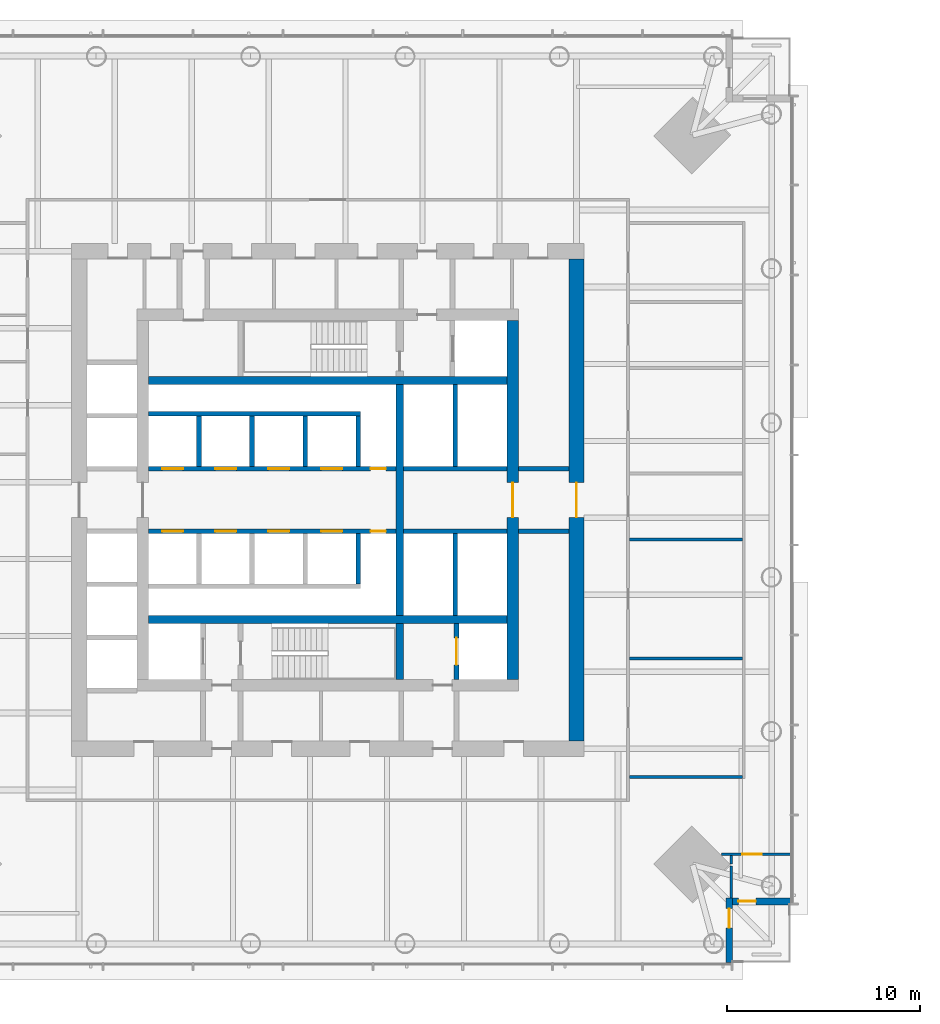
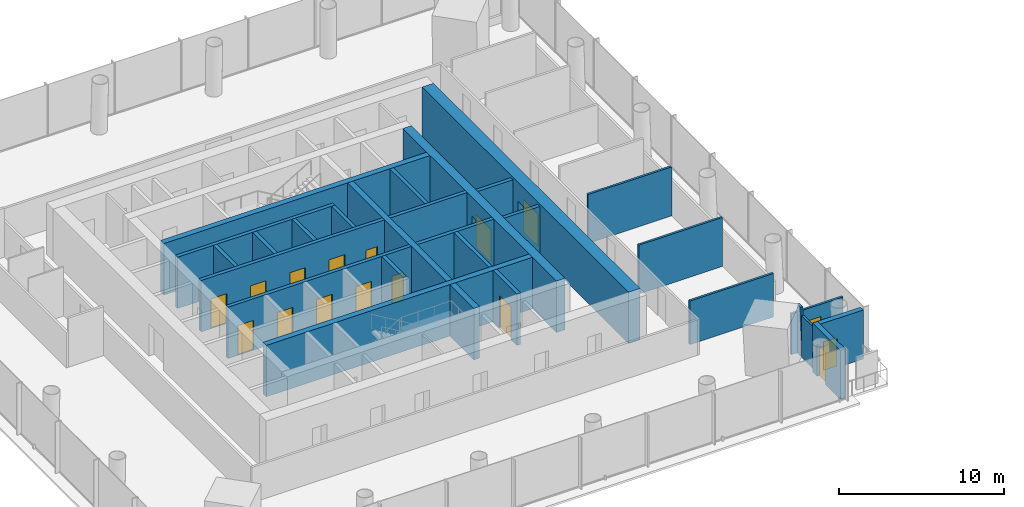
# One storey, part 10 of 26: 29 walls, 16 doors, 16 openings.
"""IFC4 building model written with IfcOpenShell, lengths in metres."""

from ifc_helpers import new_model, si_unit, direction, frame, frame_2d, origin, place, context, subcontext, project, spatial, rectangle, extrude, material, layer, layer_set, type_object, element, fill, save


model = new_model("IFC4")

# Units and contexts
model_context = context("Model", 3, precision=1e-05, world=origin(), true_north=direction((0.0, 1.0)))
body_context = subcontext(model_context, "Body", "Model", "MODEL_VIEW")
ifc_project = project(units=[si_unit("LENGTHUNIT", "METRE"), si_unit("AREAUNIT", "SQUARE_METRE"), si_unit("VOLUMEUNIT", "CUBIC_METRE"), si_unit("PLANEANGLEUNIT", "RADIAN"), si_unit("MASSUNIT", "GRAM", prefix="KILO")], contexts=[model_context])

# Site, building, storey
site_placement = place(None, origin())
site = spatial("IfcSite", under=ifc_project, at=site_placement, CompositionType="ELEMENT")
building_placement = place(site_placement, origin())
building = spatial("IfcBuilding", under=site, at=building_placement, Name="Ostroluk Exchange", CompositionType="ELEMENT")
storey_placement = place(building_placement, frame((0.0, 0.0, 51.39990234375)))
storey = spatial("IfcBuildingStorey", under=building, at=storey_placement, Name="L12", CompositionType="ELEMENT", Elevation=51.39990234375)

# Walls
ifc_material_1 = material(Name="Concrete blockwork", Category="masonry")
ifc_layer_1 = layer(ifc_material_1, 0.25)
ifc_layer_set_1 = layer_set([ifc_layer_1], Name="Blockwork stair enclosure wall 250")
wall_type_1 = type_object("IfcWallType", Name="Blockwork stair enclosure wall 250", PredefinedType="SOLIDWALL", material=ifc_layer_set_1)
for number, where, z_axis, x_axis, name in (
    (1, (54.89990234375, 44.375, 0.0), (0.0, 0.0, 1.0), (1.0, 0.0, 0.0), "Lift lobby enclosure wall"),
    (2, (54.89990234375, 47.625, 0.0), (0.0, 0.0, 1.0), (1.0, 0.0, 0.0), "Lift lobby enclosure wall"),
):
    element("IfcWall", number, at=place(storey_placement, frame(where, z_axis=z_axis, x_axis=x_axis)), inside=storey, type_object=wall_type_1, Name=name, PredefinedType="SOLIDWALL", context=body_context, shape_type="SweptSolid", body=[
        extrude(rectangle(XDim=2.60009765625, YDim=0.25, at=frame_2d((1.300048828125, 0.0))), origin(), (0.0, 0.0, 1.0), 3.6201171875),
    ])
ifc_material_2 = material(Name="Concrete C50/60", Category="concrete")
ifc_layer_2 = layer(ifc_material_2, 0.39990234375)
ifc_layer_set_2 = layer_set([ifc_layer_2], Name="Core cross wall 400 C50/60")
wall_type_2 = type_object("IfcWallType", Name="Core cross wall 400 C50/60", PredefinedType="SHEAR", material=ifc_layer_set_2)
for number, where, z_axis, x_axis, name in (
    (3, (35.699951171875, 39.800048828125, 0.0), (0.0, 0.0, 1.0), (1.0, 0.0, 0.0), "T1 core wall XS"),
    (4, (35.699951171875, 52.199951171875, 0.0), (0.0, 0.0, 1.0), (1.0, 0.0, 0.0), "T1 core wall XN"),
):
    element("IfcWall", number, at=place(storey_placement, frame(where, z_axis=z_axis, x_axis=x_axis)), inside=storey, type_object=wall_type_2, Name=name, PredefinedType="SHEAR", context=body_context, shape_type="SweptSolid", body=[
        extrude(rectangle(XDim=18.60009765625, YDim=0.39990234375, at=frame_2d((9.300048828125, 0.0))), origin(), (0.0, 0.0, 1.0), 3.800048828125),
    ])
wall_1_placement = place(storey_placement, frame((48.72998046875, 36.699951171875, 0.0), z_axis=(0.0, 0.0, 1.0), x_axis=(0.0, 1.0, 0.0)))
element("IfcWall", 5, at=wall_1_placement, inside=storey, type_object=wall_type_2, Name="T1 core wall YE1", PredefinedType="SHEAR", context=body_context, shape_type="SweptSolid", body=[
    extrude(rectangle(XDim=2.900146484375, YDim=0.39990234375, at=frame_2d((1.4501953125, 0.0))), origin(), (0.0, 0.0, 1.0), 3.800048828125),
])
wall_2_placement = place(storey_placement, frame((48.72998046875, 40.0, 0.0), z_axis=(0.0, 0.0, 1.0), x_axis=(0.0, 1.0, 0.0)))
element("IfcWall", 6, at=wall_2_placement, inside=storey, type_object=wall_type_2, Name="T1 core wall YE2", PredefinedType="SHEAR", context=body_context, shape_type="SweptSolid", body=[
    extrude(rectangle(XDim=12.0, YDim=0.39990234375, at=frame_2d((6.0, 0.0))), origin(), (0.0, 0.0, 1.0), 3.800048828125),
])

# Wall, opening, door
ifc_material_3 = material(Name="Concrete C40/50", Category="concrete")
ifc_layer_3 = layer(ifc_material_3, 0.25)
ifc_layer_set_3 = layer_set([ifc_layer_3], Name="Core shaft wall 250")
wall_type_3 = type_object("IfcWallType", Name="Core shaft wall 250", PredefinedType="SHEAR", material=ifc_layer_set_3)
wall_3_placement = place(storey_placement, frame((51.675048828125, 36.699951171875, 0.0), z_axis=(0.0, 0.0, 1.0), x_axis=(0.0, 1.0, 0.0)))
wall_3 = element("IfcWall", 7, at=wall_3_placement, inside=storey, type_object=wall_type_3, Name="Service lift shaft wall", PredefinedType="SHEAR", context=body_context, shape_type="SweptSolid", body=[
    extrude(rectangle(XDim=2.900146484375, YDim=0.25, at=frame_2d((1.4501953125, 0.0))), origin(), (0.0, 0.0, 1.0), 3.800048828125),
])
opening_1_placement = place(wall_3_placement, frame((0.75, 0.0, 0.0)))
opening_1 = element("IfcOpeningElement", 8, at=opening_1_placement, cuts=wall_3, Name="Opening LD3", PredefinedType="OPENING", context=body_context, shape_type="SweptSolid", body=[
    extrude(rectangle(XDim=1.39990234375, YDim=2.39990234375, at=frame_2d((0.699951171875, 1.199951171875))), frame((0.0, 0.135009765625, 0.0), z_axis=(0.0, -1.0, 0.0), x_axis=(1.0, 0.0, 0.0)), (0.0, 0.0, 1.0), 0.27001953125),
])
ifc_material_4 = material(Name="Stainless steel", Category="steel")
door_type_1 = type_object("IfcDoorType", Name="Goods lift landing door E 60 1400 x 2400", OperationType="DOUBLE_DOOR_SLIDING", PredefinedType="DOOR", material=ifc_material_4)
door_1_placement = place(opening_1_placement, origin())
door_1 = element("IfcDoor", 9, at=door_1_placement, inside=storey, type_object=door_type_1, Name="Lift SL1 landing door", OperationType="DOUBLE_DOOR_SLIDING", OverallHeight=2.39990234375, OverallWidth=1.39990234375, PredefinedType="DOOR", context=body_context, shape_type="SweptSolid", body=[
    extrude(rectangle(XDim=1.39990234375, YDim=2.39990234375, at=frame_2d((0.699951171875, 1.199951171875))), frame((0.0, 0.02490234375, 0.0), z_axis=(0.0, -1.0, 0.0), x_axis=(1.0, 0.0, 0.0)), (0.0, 0.0, 1.0), 0.050048828125),
])
fill(opening_1, door_1)

# Walls
for number, where, z_axis, x_axis, name in (
    (10, (38.324951171875, 47.75, 0.0), (0.0, 0.0, 1.0), (0.0, 1.0, 0.0), "Lift shaft wall"),
    (11, (41.074951171875, 47.75, 0.0), (0.0, 0.0, 1.0), (0.0, 1.0, 0.0), "Lift shaft wall"),
    (12, (43.824951171875, 47.75, 0.0), (0.0, 0.0, 1.0), (0.0, 1.0, 0.0), "Lift shaft wall"),
    (13, (46.574951171875, 47.75, 0.0), (0.0, 0.0, 1.0), (0.0, 1.0, 0.0), "Lift shaft wall"),
):
    element("IfcWall", number, at=place(storey_placement, frame(where, z_axis=z_axis, x_axis=x_axis)), inside=storey, type_object=wall_type_3, Name=name, PredefinedType="SHEAR", context=body_context, shape_type="SweptSolid", body=[
        extrude(rectangle(XDim=2.60009765625, YDim=0.25, at=frame_2d((1.300048828125, 0.0))), origin(), (0.0, 0.0, 1.0), 3.800048828125),
    ])
wall_4_placement = place(storey_placement, frame((35.699951171875, 50.47509765625, 0.0), z_axis=(0.0, 0.0, 1.0), x_axis=(1.0, 0.0, 0.0)))
element("IfcWall", 14, at=wall_4_placement, inside=storey, type_object=wall_type_3, Name="Lift shaft wall", PredefinedType="SHEAR", context=body_context, shape_type="SweptSolid", body=[
    extrude(rectangle(XDim=11.0, YDim=0.25, at=frame_2d((5.5, 0.0))), origin(), (0.0, 0.0, 1.0), 3.800048828125),
])

# Wall, openings, doors
wall_5_placement = place(storey_placement, frame((35.699951171875, 47.625, 0.0), z_axis=(0.0, 0.0, 1.0), x_axis=(1.0, 0.0, 0.0)))
wall_5 = element("IfcWall", 15, at=wall_5_placement, inside=storey, type_object=wall_type_3, Name="Lift shaft front wall", PredefinedType="SHEAR", context=body_context, shape_type="SweptSolid", body=[
    extrude(rectangle(XDim=12.830078125, YDim=0.25, at=frame_2d((6.4150390625, 0.0))), origin(), (0.0, 0.0, 1.0), 3.800048828125),
])
opening_2_placement = place(wall_5_placement, frame((0.699951171875, 0.0, 0.0)))
opening_2 = element("IfcOpeningElement", 16, at=opening_2_placement, cuts=wall_5, Name="Opening LD", PredefinedType="OPENING", context=body_context, shape_type="SweptSolid", body=[
    extrude(rectangle(XDim=1.10009765625, YDim=2.199951171875, at=frame_2d((0.550048828125, 1.10009765625))), frame((0.0, 0.135009765625, 0.0), z_axis=(0.0, -1.0, 0.0), x_axis=(1.0, 0.0, 0.0)), (0.0, 0.0, 1.0), 0.27001953125),
])
opening_3_placement = place(wall_5_placement, frame((3.449951171875, 0.0, 0.0)))
opening_3 = element("IfcOpeningElement", 17, at=opening_3_placement, cuts=wall_5, Name="Opening LD", PredefinedType="OPENING", context=body_context, shape_type="SweptSolid", body=[
    extrude(rectangle(XDim=1.10009765625, YDim=2.199951171875, at=frame_2d((0.550048828125, 1.10009765625))), frame((0.0, 0.135009765625, 0.0), z_axis=(0.0, -1.0, 0.0), x_axis=(1.0, 0.0, 0.0)), (0.0, 0.0, 1.0), 0.27001953125),
])
opening_4_placement = place(wall_5_placement, frame((6.199951171875, 0.0, 0.0)))
opening_4 = element("IfcOpeningElement", 18, at=opening_4_placement, cuts=wall_5, Name="Opening LD", PredefinedType="OPENING", context=body_context, shape_type="SweptSolid", body=[
    extrude(rectangle(XDim=1.10009765625, YDim=2.199951171875, at=frame_2d((0.550048828125, 1.10009765625))), frame((0.0, 0.135009765625, 0.0), z_axis=(0.0, -1.0, 0.0), x_axis=(1.0, 0.0, 0.0)), (0.0, 0.0, 1.0), 0.27001953125),
])
opening_5_placement = place(wall_5_placement, frame((8.949951171875, 0.0, 0.0)))
opening_5 = element("IfcOpeningElement", 19, at=opening_5_placement, cuts=wall_5, Name="Opening LD", PredefinedType="OPENING", context=body_context, shape_type="SweptSolid", body=[
    extrude(rectangle(XDim=1.10009765625, YDim=2.199951171875, at=frame_2d((0.550048828125, 1.10009765625))), frame((0.0, 0.135009765625, 0.0), z_axis=(0.0, -1.0, 0.0), x_axis=(1.0, 0.0, 0.0)), (0.0, 0.0, 1.0), 0.27001953125),
])
opening_6_placement = place(wall_5_placement, frame((11.514892578125, 0.0, 0.0)))
opening_6 = element("IfcOpeningElement", 20, at=opening_6_placement, cuts=wall_5, Name="Opening RD60", PredefinedType="OPENING", context=body_context, shape_type="SweptSolid", body=[
    extrude(rectangle(XDim=0.800048828125, YDim=2.0, at=frame_2d((0.39990234375, 1.0))), frame((0.0, 0.135009765625, 0.0), z_axis=(0.0, -1.0, 0.0), x_axis=(1.0, 0.0, 0.0)), (0.0, 0.0, 1.0), 0.27001953125),
])
ifc_material_5 = material(Name="Stainless steel", Category="steel")
door_type_2 = type_object("IfcDoorType", Name="Lift landing door E 60 1100 x 2200", OperationType="DOUBLE_DOOR_SLIDING", PredefinedType="DOOR", material=ifc_material_5)
door_2_placement = place(opening_2_placement, origin())
door_2 = element("IfcDoor", 21, at=door_2_placement, inside=storey, type_object=door_type_2, Name="Lift PL-L1 landing door", OperationType="DOUBLE_DOOR_SLIDING", OverallHeight=2.199951171875, OverallWidth=1.10009765625, PredefinedType="DOOR", context=body_context, shape_type="SweptSolid", body=[
    extrude(rectangle(XDim=1.10009765625, YDim=2.199951171875, at=frame_2d((0.550048828125, 1.10009765625))), frame((0.0, 0.02490234375, 0.0), z_axis=(0.0, -1.0, 0.0), x_axis=(1.0, 0.0, 0.0)), (0.0, 0.0, 1.0), 0.050048828125),
])
fill(opening_2, door_2)
door_3_placement = place(opening_3_placement, origin())
door_3 = element("IfcDoor", 22, at=door_3_placement, inside=storey, type_object=door_type_2, Name="Lift PL-L2 landing door", OperationType="DOUBLE_DOOR_SLIDING", OverallHeight=2.199951171875, OverallWidth=1.10009765625, PredefinedType="DOOR", context=body_context, shape_type="SweptSolid", body=[
    extrude(rectangle(XDim=1.10009765625, YDim=2.199951171875, at=frame_2d((0.550048828125, 1.10009765625))), frame((0.0, 0.02490234375, 0.0), z_axis=(0.0, -1.0, 0.0), x_axis=(1.0, 0.0, 0.0)), (0.0, 0.0, 1.0), 0.050048828125),
])
fill(opening_3, door_3)
door_4_placement = place(opening_4_placement, origin())
door_4 = element("IfcDoor", 23, at=door_4_placement, inside=storey, type_object=door_type_2, Name="Lift PL-L3 landing door", OperationType="DOUBLE_DOOR_SLIDING", OverallHeight=2.199951171875, OverallWidth=1.10009765625, PredefinedType="DOOR", context=body_context, shape_type="SweptSolid", body=[
    extrude(rectangle(XDim=1.10009765625, YDim=2.199951171875, at=frame_2d((0.550048828125, 1.10009765625))), frame((0.0, 0.02490234375, 0.0), z_axis=(0.0, -1.0, 0.0), x_axis=(1.0, 0.0, 0.0)), (0.0, 0.0, 1.0), 0.050048828125),
])
fill(opening_4, door_4)
door_5_placement = place(opening_5_placement, origin())
door_5 = element("IfcDoor", 24, at=door_5_placement, inside=storey, type_object=door_type_2, Name="Lift PL-L4 landing door", OperationType="DOUBLE_DOOR_SLIDING", OverallHeight=2.199951171875, OverallWidth=1.10009765625, PredefinedType="DOOR", context=body_context, shape_type="SweptSolid", body=[
    extrude(rectangle(XDim=1.10009765625, YDim=2.199951171875, at=frame_2d((0.550048828125, 1.10009765625))), frame((0.0, 0.02490234375, 0.0), z_axis=(0.0, -1.0, 0.0), x_axis=(1.0, 0.0, 0.0)), (0.0, 0.0, 1.0), 0.050048828125),
])
fill(opening_5, door_5)
ifc_material_6 = material(Name="Steel", Category="steel")
door_type_3 = type_object("IfcDoorType", Name="Riser access door EI 60 800 x 2000", OperationType="SINGLE_SWING_LEFT", PredefinedType="DOOR", material=ifc_material_6)
door_6_placement = place(opening_6_placement, origin())
door_6 = element("IfcDoor", 25, at=door_6_placement, inside=storey, type_object=door_type_3, Name="Riser access door", OperationType="SINGLE_SWING_RIGHT", OverallHeight=2.0, OverallWidth=0.800048828125, PredefinedType="DOOR", context=body_context, shape_type="SweptSolid", body=[
    extrude(rectangle(XDim=0.800048828125, YDim=2.0, at=frame_2d((0.39990234375, 1.0))), frame((0.0, 0.02490234375, 0.0), z_axis=(0.0, -1.0, 0.0), x_axis=(1.0, 0.0, 0.0)), (0.0, 0.0, 1.0), 0.050048828125),
])
fill(opening_6, door_6)

# Wall
wall_6_placement = place(storey_placement, frame((46.574951171875, 44.25, 0.0), z_axis=(0.0, 0.0, 1.0), x_axis=(0.0, -1.0, 0.0)))
element("IfcWall", 26, at=wall_6_placement, inside=storey, type_object=wall_type_3, Name="Lift shaft wall", PredefinedType="SHEAR", context=body_context, shape_type="SweptSolid", body=[
    extrude(rectangle(XDim=2.60009765625, YDim=0.25, at=frame_2d((1.300048828125, 0.0))), origin(), (0.0, 0.0, 1.0), 3.800048828125),
])

# Wall, openings, doors
wall_7_placement = place(storey_placement, frame((35.699951171875, 44.375, 0.0), z_axis=(0.0, 0.0, 1.0), x_axis=(1.0, 0.0, 0.0)))
wall_7 = element("IfcWall", 27, at=wall_7_placement, inside=storey, type_object=wall_type_3, Name="Lift shaft front wall", PredefinedType="SHEAR", context=body_context, shape_type="SweptSolid", body=[
    extrude(rectangle(XDim=12.830078125, YDim=0.25, at=frame_2d((6.4150390625, 0.0))), origin(), (0.0, 0.0, 1.0), 3.800048828125),
])
opening_7_placement = place(wall_7_placement, frame((0.699951171875, 0.0, 0.0)))
opening_7 = element("IfcOpeningElement", 28, at=opening_7_placement, cuts=wall_7, Name="Opening LD", PredefinedType="OPENING", context=body_context, shape_type="SweptSolid", body=[
    extrude(rectangle(XDim=1.10009765625, YDim=2.199951171875, at=frame_2d((0.550048828125, 1.10009765625))), frame((0.0, 0.135009765625, 0.0), z_axis=(0.0, -1.0, 0.0), x_axis=(1.0, 0.0, 0.0)), (0.0, 0.0, 1.0), 0.27001953125),
])
opening_8_placement = place(wall_7_placement, frame((3.449951171875, 0.0, 0.0)))
opening_8 = element("IfcOpeningElement", 29, at=opening_8_placement, cuts=wall_7, Name="Opening LD", PredefinedType="OPENING", context=body_context, shape_type="SweptSolid", body=[
    extrude(rectangle(XDim=1.10009765625, YDim=2.199951171875, at=frame_2d((0.550048828125, 1.10009765625))), frame((0.0, 0.135009765625, 0.0), z_axis=(0.0, -1.0, 0.0), x_axis=(1.0, 0.0, 0.0)), (0.0, 0.0, 1.0), 0.27001953125),
])
opening_9_placement = place(wall_7_placement, frame((6.199951171875, 0.0, 0.0)))
opening_9 = element("IfcOpeningElement", 30, at=opening_9_placement, cuts=wall_7, Name="Opening LD", PredefinedType="OPENING", context=body_context, shape_type="SweptSolid", body=[
    extrude(rectangle(XDim=1.10009765625, YDim=2.199951171875, at=frame_2d((0.550048828125, 1.10009765625))), frame((0.0, 0.135009765625, 0.0), z_axis=(0.0, -1.0, 0.0), x_axis=(1.0, 0.0, 0.0)), (0.0, 0.0, 1.0), 0.27001953125),
])
opening_10_placement = place(wall_7_placement, frame((8.949951171875, 0.0, 0.0)))
opening_10 = element("IfcOpeningElement", 31, at=opening_10_placement, cuts=wall_7, Name="Opening LD", PredefinedType="OPENING", context=body_context, shape_type="SweptSolid", body=[
    extrude(rectangle(XDim=1.10009765625, YDim=2.199951171875, at=frame_2d((0.550048828125, 1.10009765625))), frame((0.0, 0.135009765625, 0.0), z_axis=(0.0, -1.0, 0.0), x_axis=(1.0, 0.0, 0.0)), (0.0, 0.0, 1.0), 0.27001953125),
])
opening_11_placement = place(wall_7_placement, frame((11.514892578125, 0.0, 0.0)))
opening_11 = element("IfcOpeningElement", 32, at=opening_11_placement, cuts=wall_7, Name="Opening RD60", PredefinedType="OPENING", context=body_context, shape_type="SweptSolid", body=[
    extrude(rectangle(XDim=0.800048828125, YDim=2.0, at=frame_2d((0.39990234375, 1.0))), frame((0.0, 0.135009765625, 0.0), z_axis=(0.0, -1.0, 0.0), x_axis=(1.0, 0.0, 0.0)), (0.0, 0.0, 1.0), 0.27001953125),
])
door_7_placement = place(opening_7_placement, origin())
door_7 = element("IfcDoor", 33, at=door_7_placement, inside=storey, type_object=door_type_2, Name="Lift PL-L5 landing door", OperationType="DOUBLE_DOOR_SLIDING", OverallHeight=2.199951171875, OverallWidth=1.10009765625, PredefinedType="DOOR", context=body_context, shape_type="SweptSolid", body=[
    extrude(rectangle(XDim=1.10009765625, YDim=2.199951171875, at=frame_2d((0.550048828125, 1.10009765625))), frame((0.0, 0.02490234375, 0.0), z_axis=(0.0, -1.0, 0.0), x_axis=(1.0, 0.0, 0.0)), (0.0, 0.0, 1.0), 0.050048828125),
])
fill(opening_7, door_7)
door_8_placement = place(opening_8_placement, origin())
door_8 = element("IfcDoor", 34, at=door_8_placement, inside=storey, type_object=door_type_2, Name="Lift PL-L6 landing door", OperationType="DOUBLE_DOOR_SLIDING", OverallHeight=2.199951171875, OverallWidth=1.10009765625, PredefinedType="DOOR", context=body_context, shape_type="SweptSolid", body=[
    extrude(rectangle(XDim=1.10009765625, YDim=2.199951171875, at=frame_2d((0.550048828125, 1.10009765625))), frame((0.0, 0.02490234375, 0.0), z_axis=(0.0, -1.0, 0.0), x_axis=(1.0, 0.0, 0.0)), (0.0, 0.0, 1.0), 0.050048828125),
])
fill(opening_8, door_8)
door_9_placement = place(opening_9_placement, origin())
door_9 = element("IfcDoor", 35, at=door_9_placement, inside=storey, type_object=door_type_2, Name="Lift PL-L7 landing door", OperationType="DOUBLE_DOOR_SLIDING", OverallHeight=2.199951171875, OverallWidth=1.10009765625, PredefinedType="DOOR", context=body_context, shape_type="SweptSolid", body=[
    extrude(rectangle(XDim=1.10009765625, YDim=2.199951171875, at=frame_2d((0.550048828125, 1.10009765625))), frame((0.0, 0.02490234375, 0.0), z_axis=(0.0, -1.0, 0.0), x_axis=(1.0, 0.0, 0.0)), (0.0, 0.0, 1.0), 0.050048828125),
])
fill(opening_9, door_9)
door_10_placement = place(opening_10_placement, origin())
door_10 = element("IfcDoor", 36, at=door_10_placement, inside=storey, type_object=door_type_2, Name="Lift PL-L8 landing door", OperationType="DOUBLE_DOOR_SLIDING", OverallHeight=2.199951171875, OverallWidth=1.10009765625, PredefinedType="DOOR", context=body_context, shape_type="SweptSolid", body=[
    extrude(rectangle(XDim=1.10009765625, YDim=2.199951171875, at=frame_2d((0.550048828125, 1.10009765625))), frame((0.0, 0.02490234375, 0.0), z_axis=(0.0, -1.0, 0.0), x_axis=(1.0, 0.0, 0.0)), (0.0, 0.0, 1.0), 0.050048828125),
])
fill(opening_10, door_10)
door_11_placement = place(opening_11_placement, origin())
door_11 = element("IfcDoor", 37, at=door_11_placement, inside=storey, type_object=door_type_3, Name="Riser access door", OperationType="SINGLE_SWING_RIGHT", OverallHeight=2.0, OverallWidth=0.800048828125, PredefinedType="DOOR", context=body_context, shape_type="SweptSolid", body=[
    extrude(rectangle(XDim=0.800048828125, YDim=2.0, at=frame_2d((0.39990234375, 1.0))), frame((0.0, 0.02490234375, 0.0), z_axis=(0.0, -1.0, 0.0), x_axis=(1.0, 0.0, 0.0)), (0.0, 0.0, 1.0), 0.050048828125),
])
fill(opening_11, door_11)

# Walls
wall_8_placement = place(storey_placement, frame((51.614990234375, 47.75, 0.0), z_axis=(0.0, 0.0, 1.0), x_axis=(0.0, 1.0, 0.0)))
element("IfcWall", 38, at=wall_8_placement, inside=storey, type_object=wall_type_3, Name="Lift shaft wall", PredefinedType="SHEAR", context=body_context, shape_type="SweptSolid", body=[
    extrude(rectangle(XDim=4.25, YDim=0.25, at=frame_2d((2.125, 0.0))), origin(), (0.0, 0.0, 1.0), 3.800048828125),
])
wall_9_placement = place(storey_placement, frame((48.929931640625, 47.625, 0.0), z_axis=(0.0, 0.0, 1.0), x_axis=(1.0, 0.0, 0.0)))
element("IfcWall", 39, at=wall_9_placement, inside=storey, type_object=wall_type_3, Name="Lift shaft front wall", PredefinedType="SHEAR", context=body_context, shape_type="SweptSolid", body=[
    extrude(rectangle(XDim=5.3701171875, YDim=0.25, at=frame_2d((2.68505859375, 0.0))), origin(), (0.0, 0.0, 1.0), 3.800048828125),
])
wall_10_placement = place(storey_placement, frame((51.614990234375, 44.25, 0.0), z_axis=(0.0, 0.0, 1.0), x_axis=(0.0, -1.0, 0.0)))
element("IfcWall", 40, at=wall_10_placement, inside=storey, type_object=wall_type_3, Name="Lift shaft wall", PredefinedType="SHEAR", context=body_context, shape_type="SweptSolid", body=[
    extrude(rectangle(XDim=4.25, YDim=0.25, at=frame_2d((2.125, 0.0))), origin(), (0.0, 0.0, 1.0), 3.800048828125),
])
wall_11_placement = place(storey_placement, frame((48.929931640625, 44.375, 0.0), z_axis=(0.0, 0.0, 1.0), x_axis=(1.0, 0.0, 0.0)))
element("IfcWall", 41, at=wall_11_placement, inside=storey, type_object=wall_type_3, Name="Lift shaft front wall", PredefinedType="SHEAR", context=body_context, shape_type="SweptSolid", body=[
    extrude(rectangle(XDim=5.3701171875, YDim=0.25, at=frame_2d((2.68505859375, 0.0))), origin(), (0.0, 0.0, 1.0), 3.800048828125),
])

# Wall, opening, door
ifc_material_7 = material(Name="Concrete C50/60", Category="concrete")
ifc_layer_4 = layer(ifc_material_7, 0.60009765625)
ifc_layer_set_4 = layer_set([ifc_layer_4], Name="Core wall 600 C50/60")
wall_type_4 = type_object("IfcWallType", Name="Core wall 600 C50/60", PredefinedType="SHEAR", material=ifc_layer_set_4)
wall_12_placement = place(storey_placement, frame((54.60009765625, 36.699951171875, 0.0), z_axis=(0.0, 0.0, 1.0), x_axis=(0.0, 1.0, 0.0)))
wall_12 = element("IfcWall", 42, at=wall_12_placement, inside=storey, type_object=wall_type_4, Name="T1 core wall E", PredefinedType="SHEAR", context=body_context, shape_type="SweptSolid", body=[
    extrude(rectangle(XDim=18.60009765625, YDim=0.60009765625, at=frame_2d((9.300048828125, 0.0))), origin(), (0.0, 0.0, 1.0), 3.800048828125),
])
opening_12_placement = place(wall_12_placement, frame((8.39990234375, 0.0, 0.0)))
opening_12 = element("IfcOpeningElement", 43, at=opening_12_placement, cuts=wall_12, Name="Opening FD30D", PredefinedType="OPENING", context=body_context, shape_type="SweptSolid", body=[
    extrude(rectangle(XDim=1.800048828125, YDim=2.39990234375, at=frame_2d((0.89990234375, 1.199951171875))), frame((0.0, 0.31005859375, 0.0), z_axis=(0.0, -1.0, 0.0), x_axis=(1.0, 0.0, 0.0)), (0.0, 0.0, 1.0), 0.6201171875),
])
ifc_material_8 = material(Name="Timber", Category="wood")
door_type_4 = type_object("IfcDoorType", Name="Lobby double door EI 30 1800 x 2400", OperationType="DOUBLE_DOOR_SINGLE_SWING", PredefinedType="DOOR", material=ifc_material_8)
door_12_placement = place(opening_12_placement, origin())
door_12 = element("IfcDoor", 44, at=door_12_placement, inside=storey, type_object=door_type_4, Name="Lift lobby doors", OperationType="DOUBLE_DOOR_SINGLE_SWING", OverallHeight=2.39990234375, OverallWidth=1.800048828125, PredefinedType="DOOR", context=body_context, shape_type="SweptSolid", body=[
    extrude(rectangle(XDim=1.800048828125, YDim=2.39990234375, at=frame_2d((0.89990234375, 1.199951171875))), frame((0.0, 0.02490234375, 0.0), z_axis=(0.0, -1.0, 0.0), x_axis=(1.0, 0.0, 0.0)), (0.0, 0.0, 1.0), 0.050048828125),
])
fill(opening_12, door_12)

ifc_material_9 = material(Name="Concrete C50/60", Category="concrete")
ifc_layer_5 = layer(ifc_material_9, 0.800048828125)
ifc_layer_set_5 = layer_set([ifc_layer_5], Name="Core wall 800 C50/60")
wall_type_5 = type_object("IfcWallType", Name="Core wall 800 C50/60", PredefinedType="SHEAR", material=ifc_layer_set_5)
wall_13_placement = place(storey_placement, frame((57.89990234375, 33.5, 0.0), z_axis=(0.0, 0.0, 1.0), x_axis=(0.0, 1.0, 0.0)))
wall_13 = element("IfcWall", 45, at=wall_13_placement, inside=storey, type_object=wall_type_5, Name="T1 core wall RE", PredefinedType="SHEAR", context=body_context, shape_type="SweptSolid", body=[
    extrude(rectangle(XDim=25.0, YDim=0.800048828125, at=frame_2d((12.5, 0.0))), origin(), (0.0, 0.0, 1.0), 3.800048828125),
])
opening_13_placement = place(wall_13_placement, frame((11.60009765625, 0.0, 0.0)))
opening_13 = element("IfcOpeningElement", 46, at=opening_13_placement, cuts=wall_13, Name="Opening FD30D", PredefinedType="OPENING", context=body_context, shape_type="SweptSolid", body=[
    extrude(rectangle(XDim=1.800048828125, YDim=2.39990234375, at=frame_2d((0.89990234375, 1.199951171875))), frame((0.0, 0.409912109375, 0.0), z_axis=(0.0, -1.0, 0.0), x_axis=(1.0, 0.0, 0.0)), (0.0, 0.0, 1.0), 0.820068359375),
])
door_13_placement = place(opening_13_placement, origin())
door_13 = element("IfcDoor", 47, at=door_13_placement, inside=storey, type_object=door_type_4, Name="Lift lobby doors", OperationType="DOUBLE_DOOR_SINGLE_SWING", OverallHeight=2.39990234375, OverallWidth=1.800048828125, PredefinedType="DOOR", context=body_context, shape_type="SweptSolid", body=[
    extrude(rectangle(XDim=1.800048828125, YDim=2.39990234375, at=frame_2d((0.89990234375, 1.199951171875))), frame((0.0, 0.02490234375, 0.0), z_axis=(0.0, -1.0, 0.0), x_axis=(1.0, 0.0, 0.0)), (0.0, 0.0, 1.0), 0.050048828125),
])
fill(opening_13, door_13)

ifc_material_10 = material(Name="Limestone", Category="masonry")
ifc_layer_6 = layer(ifc_material_10, 0.35009765625)
ifc_layer_set_6 = layer_set([ifc_layer_6], Name="Limestone facade wall 350")
wall_type_6 = type_object("IfcWallType", Name="Limestone facade wall 350", PredefinedType="SOLIDWALL", material=ifc_layer_set_6)
wall_14_placement = place(storey_placement, frame((65.824951171875, 22.0, 0.0), z_axis=(0.0, 0.0, 1.0), x_axis=(0.0, 1.0, 0.0)))
wall_14 = element("IfcWall", 48, at=wall_14_placement, inside=storey, type_object=wall_type_6, Name="Office tower SE corner wall L12 a", PredefinedType="SOLIDWALL", context=body_context, shape_type="SweptSolid", body=[
    extrude(rectangle(XDim=3.35009765625, YDim=0.35009765625, at=frame_2d((1.675048828125, 0.0))), origin(), (0.0, 0.0, 1.0), 3.6201171875),
])
opening_14_placement = place(wall_14_placement, frame((1.800048828125, 0.0, 0.0)))
opening_14 = element("IfcOpeningElement", 49, at=opening_14_placement, cuts=wall_14, Name="Opening D-B1", PredefinedType="OPENING", context=body_context, shape_type="SweptSolid", body=[
    extrude(rectangle(XDim=1.0, YDim=2.39990234375, at=frame_2d((0.5, 1.199951171875))), frame((0.0, 0.18505859375, 0.0), z_axis=(0.0, -1.0, 0.0), x_axis=(1.0, 0.0, 0.0)), (0.0, 0.0, 1.0), 0.3701171875),
])
ifc_material_11 = material(Name="Bronze framed glazed door", Category="aluminium")
door_type_5 = type_object("IfcDoorType", Name="Balcony door 1000 x 2400", OperationType="SINGLE_SWING_LEFT", PredefinedType="DOOR", material=ifc_material_11)
door_14_placement = place(opening_14_placement, origin())
door_14 = element("IfcDoor", 50, at=door_14_placement, inside=storey, type_object=door_type_5, Name="Office tower SE balcony door L12", OperationType="SINGLE_SWING_RIGHT", OverallHeight=2.39990234375, OverallWidth=1.0, PredefinedType="DOOR", context=body_context, shape_type="SweptSolid", body=[
    extrude(rectangle(XDim=1.0, YDim=2.39990234375, at=frame_2d((0.5, 1.199951171875))), frame((0.0, 0.02490234375, 0.0), z_axis=(0.0, -1.0, 0.0), x_axis=(1.0, 0.0, 0.0)), (0.0, 0.0, 1.0), 0.050048828125),
])
fill(opening_14, door_14)

wall_15_placement = place(storey_placement, frame((66.0, 25.175048828125, 0.0), z_axis=(0.0, 0.0, 1.0), x_axis=(1.0, 0.0, 0.0)))
wall_15 = element("IfcWall", 51, at=wall_15_placement, inside=storey, type_object=wall_type_6, Name="Office tower SE corner wall L12 b", PredefinedType="SOLIDWALL", context=body_context, shape_type="SweptSolid", body=[
    extrude(rectangle(XDim=3.0, YDim=0.35009765625, at=frame_2d((1.5, 0.0))), origin(), (0.0, 0.0, 1.0), 3.6201171875),
])
opening_15_placement = place(wall_15_placement, frame((0.300048828125, 0.0, 0.0)))
opening_15 = element("IfcOpeningElement", 52, at=opening_15_placement, cuts=wall_15, Name="Opening D-M1", PredefinedType="OPENING", context=body_context, shape_type="SweptSolid", body=[
    extrude(rectangle(XDim=0.89990234375, YDim=2.10009765625, at=frame_2d((0.449951171875, 1.050048828125))), frame((0.0, 0.18505859375, 0.0), z_axis=(0.0, -1.0, 0.0), x_axis=(1.0, 0.0, 0.0)), (0.0, 0.0, 1.0), 0.3701171875),
])
ifc_material_12 = material(Name="Steel door", Category="steel")
door_type_6 = type_object("IfcDoorType", Name="Maintenance access door 900 x 2100", OperationType="SINGLE_SWING_LEFT", PredefinedType="DOOR", material=ifc_material_12)
door_15_placement = place(opening_15_placement, origin())
door_15 = element("IfcDoor", 53, at=door_15_placement, inside=storey, type_object=door_type_6, Name="Maintenance access door T1 L12 SE", OperationType="SINGLE_SWING_LEFT", OverallHeight=2.10009765625, OverallWidth=0.89990234375, PredefinedType="DOOR", context=body_context, shape_type="SweptSolid", body=[
    extrude(rectangle(XDim=0.89990234375, YDim=2.10009765625, at=frame_2d((0.449951171875, 1.050048828125))), frame((0.0, 0.02490234375, 0.0), z_axis=(0.0, -1.0, 0.0), x_axis=(1.0, 0.0, 0.0)), (0.0, 0.0, 1.0), 0.050048828125),
])
fill(opening_15, door_15)

# Walls
ifc_material_13 = material(Name="Gypsum plasterboard partition", Category="gypsum")
ifc_layer_7 = layer(ifc_material_13, 0.14990234375)
ifc_layer_set_7 = layer_set([ifc_layer_7], Name="Plasterboard partition 150")
wall_type_7 = type_object("IfcWallType", Name="Plasterboard partition 150", PredefinedType="PARTITIONING", material=ifc_layer_set_7)
wall_16_placement = place(storey_placement, frame((60.64990234375, 31.625, 0.0), z_axis=(0.0, 0.0, 1.0), x_axis=(1.0, 0.0, 0.0)))
element("IfcWall", 54, at=wall_16_placement, inside=storey, type_object=wall_type_7, Name="Partition", PredefinedType="PARTITIONING", context=body_context, shape_type="SweptSolid", body=[
    extrude(rectangle(XDim=5.85009765625, YDim=0.14990234375, at=frame_2d((2.925048828125, 0.0))), origin(), (0.0, 0.0, 1.0), 3.22021484375),
])
for number, where, z_axis, x_axis, name in (
    (55, (60.64990234375, 37.78564453125, 0.0), (0.0, 0.0, 1.0), (1.0, 0.0, 0.0), "Partition"),
    (56, (60.64990234375, 43.946533203125, 0.0), (0.0, 0.0, 1.0), (1.0, 0.0, 0.0), "Partition"),
):
    element("IfcWall", number, at=place(storey_placement, frame(where, z_axis=z_axis, x_axis=x_axis)), inside=storey, type_object=wall_type_7, Name=name, PredefinedType="PARTITIONING", context=body_context, shape_type="SweptSolid", body=[
        extrude(rectangle(XDim=5.85009765625, YDim=0.14990234375, at=frame_2d((2.925048828125, 0.0))), origin(), (0.0, 0.0, 1.0), 3.6201171875),
    ])

# Wall, opening, door
wall_17_placement = place(storey_placement, frame((65.429931640625, 27.625, 0.0), z_axis=(0.0, 0.0, 1.0), x_axis=(1.0, 0.0, 0.0)))
wall_17 = element("IfcWall", 57, at=wall_17_placement, inside=storey, type_object=wall_type_7, Name="Partition", PredefinedType="PARTITIONING", context=body_context, shape_type="SweptSolid", body=[
    extrude(rectangle(XDim=3.610107421875, YDim=0.14990234375, at=frame_2d((1.80517578125, 0.0))), origin(), (0.0, 0.0, 1.0), 3.02001953125),
])
opening_16_placement = place(wall_17_placement, frame((1.070068359375, 0.0, 0.0)))
opening_16 = element("IfcOpeningElement", 58, at=opening_16_placement, cuts=wall_17, Name="Opening D-03", PredefinedType="OPENING", context=body_context, shape_type="SweptSolid", body=[
    extrude(rectangle(XDim=1.0, YDim=2.10009765625, at=frame_2d((0.5, 1.050048828125))), frame((0.0, 0.0849609375, 0.0), z_axis=(0.0, -1.0, 0.0), x_axis=(1.0, 0.0, 0.0)), (0.0, 0.0, 1.0), 0.169921875),
])
ifc_material_14 = material(Name="Timber", Category="wood")
door_type_7 = type_object("IfcDoorType", Name="Internal door 1000 x 2100", OperationType="SINGLE_SWING_LEFT", PredefinedType="DOOR", material=ifc_material_14)
door_16_placement = place(opening_16_placement, origin())
door_16 = element("IfcDoor", 59, at=door_16_placement, inside=storey, type_object=door_type_7, Name="Facade maintenance store door", OperationType="SINGLE_SWING_LEFT", OverallHeight=2.10009765625, OverallWidth=1.0, PredefinedType="DOOR", context=body_context, shape_type="SweptSolid", body=[
    extrude(rectangle(XDim=1.0, YDim=2.10009765625, at=frame_2d((0.5, 1.050048828125))), frame((0.0, 0.02490234375, 0.0), z_axis=(0.0, -1.0, 0.0), x_axis=(1.0, 0.0, 0.0)), (0.0, 0.0, 1.0), 0.050048828125),
])
fill(opening_16, door_16)

# Walls
wall_18_placement = place(storey_placement, frame((65.925048828125, 27.550048828125, 0.0), z_axis=(0.0, 0.0, 1.0), x_axis=(0.0, -1.0, 0.0)))
element("IfcWall", 60, at=wall_18_placement, inside=storey, type_object=wall_type_7, Name="Partition", PredefinedType="PARTITIONING", context=body_context, shape_type="SweptSolid", body=[
    extrude(rectangle(XDim=0.420166015625, YDim=0.14990234375, at=frame_2d((0.2099609375, 0.0))), origin(), (0.0, 0.0, 1.0), 3.6201171875),
])
wall_19_placement = place(storey_placement, frame((65.925048828125, 27.012939453125, 0.0), z_axis=(0.0, 0.0, 1.0), x_axis=(0.0, -1.0, 0.0)))
element("IfcWall", 61, at=wall_19_placement, inside=storey, type_object=wall_type_7, Name="Partition", PredefinedType="PARTITIONING", context=body_context, shape_type="SweptSolid", body=[
    extrude(rectangle(XDim=1.662841796875, YDim=0.14990234375, at=frame_2d((0.83154296875, 0.0))), origin(), (0.0, 0.0, 1.0), 3.070068359375),
])

save(model, "model.ifc")
